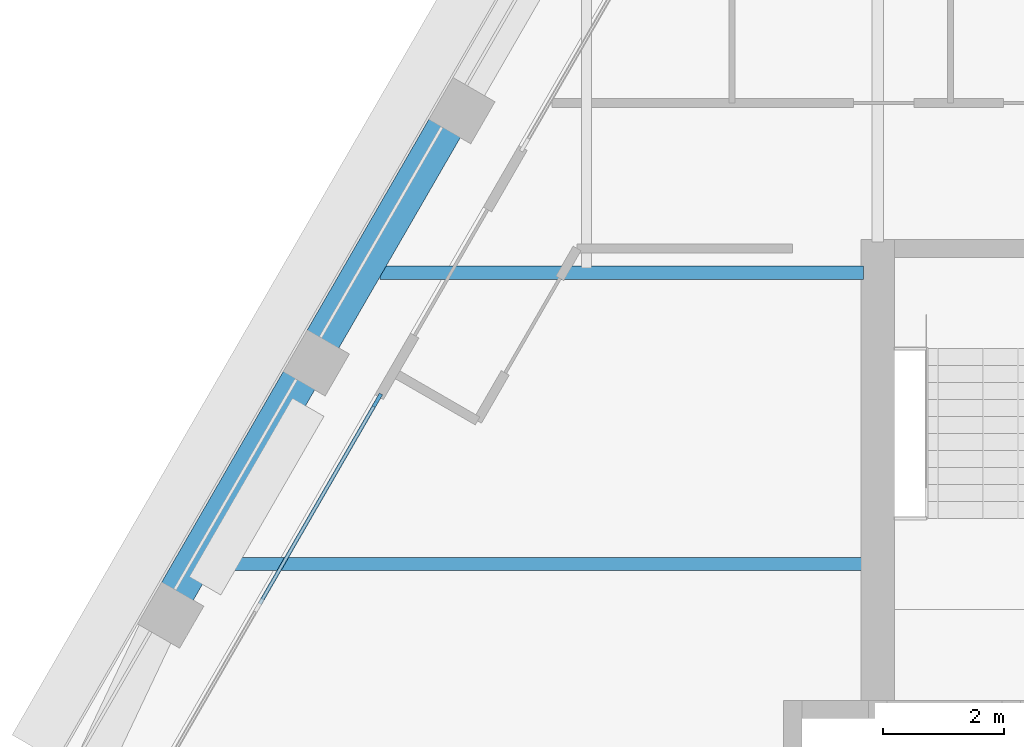
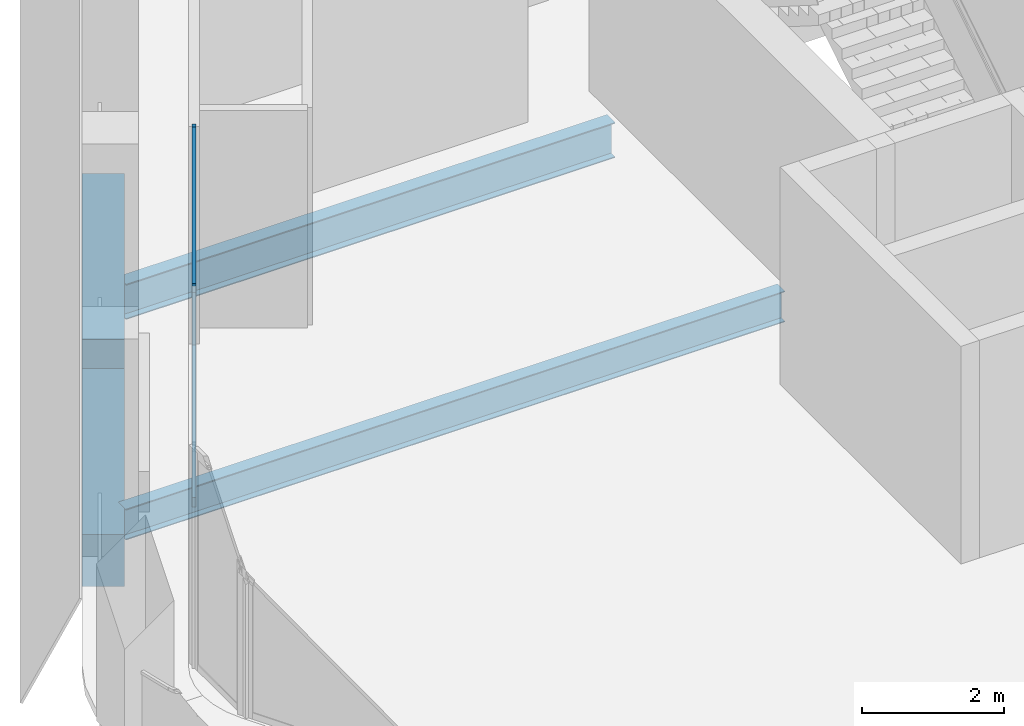
# One storey, part 3 of 13: 4 beams, 3 members, 1 element without a shape of its own.
"""IFC4 building model written with IfcOpenShell, lengths in metres."""

from ifc_helpers import new_model, si_unit, direction, frame, origin, origin_2d, place, context, subcontext, project, spatial, rectangle, i_section, extrude, material, material_profile, profile_set, type_object, element, aggregate, save


model = new_model("IFC4")

# Units and contexts
model_context = context("Model", 3, precision=1e-05, world=origin(), true_north=direction((0.0, 1.0)))
body_context = subcontext(model_context, "Body", "Model", "MODEL_VIEW")
ifc_project = project(units=[si_unit("LENGTHUNIT", "METRE"), si_unit("AREAUNIT", "SQUARE_METRE"), si_unit("VOLUMEUNIT", "CUBIC_METRE"), si_unit("PLANEANGLEUNIT", "RADIAN"), si_unit("MASSUNIT", "GRAM", prefix="KILO")], contexts=[model_context])

# Site, building, storey
site_placement = place(None, origin())
site = spatial("IfcSite", under=ifc_project, at=site_placement, CompositionType="ELEMENT")
building_placement = place(site_placement, origin())
building = spatial("IfcBuilding", under=site, at=building_placement, Name="Kolab Exchange Tower", CompositionType="ELEMENT")
storey_placement = place(building_placement, frame((0.0, 0.0, 230.60009765625)))
storey = spatial("IfcBuildingStorey", under=building, at=storey_placement, Name="L50", CompositionType="ELEMENT", Elevation=230.60009765625)

# Beams
ifc_material_1 = material(Name="Steel S355", Category="steel")
ifc_material_profile_1 = material_profile(ifc_material_1, i_section(OverallWidth=0.208984375, OverallDepth=0.532958984375, WebThickness=0.01025390625, FlangeThickness=0.015625, at=origin_2d()), Name="W530X92")
ifc_profile_set_1 = profile_set([ifc_material_profile_1], Name="Steel S355")
beam_type_1 = type_object("IfcBeamType", Name="FLOOR BEAM W530X92", PredefinedType="BEAM", material=ifc_profile_set_1)
beam_1_placement = place(storey_placement, frame((-20.575927734375, 4.800048828125, -0.41650390625), z_axis=(1.0, 0.0, 0.0), x_axis=(0.0, 1.0, 0.0)))
element("IfcBeam", 1, at=beam_1_placement, inside=storey, type_object=beam_type_1, Name="beam/L50/fr/002", PredefinedType="BEAM", context=body_context, shape_type="SweptSolid", body=[
    extrude(i_section(OverallWidth=0.208984375, OverallDepth=0.532958984375, WebThickness=0.01025390625, FlangeThickness=0.015625, at=origin_2d()), origin(), (0.0, 0.0, 1.0), 10.740966796875),
])
ifc_material_profile_2 = material_profile(ifc_material_1, i_section(OverallWidth=0.22802734375, OverallDepth=0.60791015625, WebThickness=0.01123046875, FlangeThickness=0.017333984375, at=origin_2d()), Name="W610X113")
ifc_profile_set_2 = profile_set([ifc_material_profile_2], Name="Steel S355")
beam_type_2 = type_object("IfcBeamType", Name="FLOOR GIRDER W610X113", PredefinedType="BEAM", material=ifc_profile_set_2)
beam_2_placement = place(storey_placement, frame((-17.8046875, 9.60009765625, -0.4541015625), z_axis=(1.0, 0.0, 0.0), x_axis=(0.0, 1.0, 0.0)))
element("IfcBeam", 2, at=beam_2_placement, inside=storey, type_object=beam_type_2, Name="beam/L50/gd/001", PredefinedType="BEAM", context=body_context, shape_type="SweptSolid", body=[
    extrude(i_section(OverallWidth=0.22802734375, OverallDepth=0.60791015625, WebThickness=0.01123046875, FlangeThickness=0.017333984375, at=origin_2d()), origin(), (0.0, 0.0, 1.0), 7.9697265625),
])
ifc_material_2 = material(Name="Concrete C50/60", Category="concrete")
ifc_material_profile_3 = material_profile(ifc_material_2, rectangle(XDim=0.60009765625, YDim=0.89990234375, at=origin_2d()), Name="RC600X900")
ifc_profile_set_3 = profile_set([ifc_material_profile_3], Name="Concrete C50/60")
beam_type_3 = type_object("IfcBeamType", Name="SPANDREL BEAM 600X900 C50/60", PredefinedType="BEAM", material=ifc_profile_set_3)
for number, where, z_axis, x_axis, name in (
    (3, (-21.16015625, 4.318603515625, -0.60009765625), (0.500000428765, 0.866025156237, 0.0), (-0.866025156237, 0.500000428765, 0.0), "beam/L50/sp/F6-02"),
    (4, (-18.76025390625, 8.4755859375, -0.60009765625), (0.500000428765, 0.866025156237, 0.0), (-0.866025156237, 0.500000428765, 0.0), "beam/L50/sp/F6-03"),
):
    element("IfcBeam", number, at=place(storey_placement, frame(where, z_axis=z_axis, x_axis=x_axis)), inside=storey, type_object=beam_type_3, Name=name, PredefinedType="BEAM", context=body_context, shape_type="SweptSolid", body=[
        extrude(rectangle(XDim=0.60009765625, YDim=0.89990234375, at=origin_2d()), origin(), (0.0, 0.0, 1.0), 4.080078125),
    ])

# Curtain wall, members
ifc_material_3 = material(Name="Aluminium EN AW-6063 T6", Category="aluminium")
curtain_wall_type = type_object("IfcCurtainWallType", Name="UNITISED HIGH ZONE CURTAIN WALL", PredefinedType="NOTDEFINED", material=ifc_material_3)
curtain_wall_placement = place(storey_placement, origin())
curtain_wall = element("IfcCurtainWall", 5, at=curtain_wall_placement, inside=storey, type_object=curtain_wall_type, Name="cw/L50/F6-1", PredefinedType="NOTDEFINED")
ifc_material_profile_4 = material_profile(ifc_material_3, rectangle(XDim=0.06005859375, YDim=0.239990234375, at=origin_2d()), Name="RECT 60X240")
ifc_profile_set_4 = profile_set([ifc_material_profile_4], Name="Aluminium EN AW-6063 T6")
member_type_1 = type_object("IfcMemberType", Name="UNITISED HIGH ZONE MULLION 60 X 240", PredefinedType="MULLION", material=ifc_profile_set_4)
member_1_placement = place(storey_placement, frame((-17.8466796875, 7.497802734375, 0.0), z_axis=(0.0, 0.0, 1.0), x_axis=(-0.866025440524, 0.499999936366, 0.0)))
member_1 = element("IfcMember", 6, at=member_1_placement, type_object=member_type_1, Name="CW4 mullion 3", PredefinedType="MULLION", context=body_context, shape_type="SweptSolid", body=[
    extrude(rectangle(XDim=0.06005859375, YDim=0.239990234375, at=origin_2d()), origin(), (0.0, 0.0, 1.0), 3.75),
])
ifc_material_profile_5 = material_profile(ifc_material_3, rectangle(XDim=0.06005859375, YDim=0.159912109375, at=origin_2d()), Name="RECT 60X160")
ifc_profile_set_5 = profile_set([ifc_material_profile_5], Name="Aluminium EN AW-6063 T6")
member_type_2 = type_object("IfcMemberType", Name="UNITISED HIGH ZONE TRANSOM 60 X 160", PredefinedType="USERDEFINED", material=ifc_profile_set_5)
member_2_placement = place(storey_placement, frame((-19.78369140625, 4.142822265625, 0.02978515625), z_axis=(0.500011990396, 0.866018481016, 0.0), x_axis=(-0.866018481016, 0.500011990396, 0.0)))
member_2 = element("IfcMember", 7, at=member_2_placement, type_object=member_type_2, Name="CW4 transom 2.1", ObjectType="TRANSOM", PredefinedType="USERDEFINED", context=body_context, shape_type="SweptSolid", body=[
    extrude(rectangle(XDim=0.06005859375, YDim=0.159912109375, at=origin_2d()), origin(), (0.0, 0.0, 1.0), 3.84423828125),
])
member_3_placement = place(storey_placement, frame((-19.78369140625, 4.142822265625, 3.719970703125), z_axis=(0.500011990396, 0.866018481016, 0.0), x_axis=(-0.866018481016, 0.500011990396, 0.0)))
member_3 = element("IfcMember", 8, at=member_3_placement, type_object=member_type_2, Name="CW4 transom 2.2", ObjectType="TRANSOM", PredefinedType="USERDEFINED", context=body_context, shape_type="SweptSolid", body=[
    extrude(rectangle(XDim=0.06005859375, YDim=0.159912109375, at=origin_2d()), origin(), (0.0, 0.0, 1.0), 3.84423828125),
])
aggregate(curtain_wall, [member_1, member_2, member_3])

save(model, "model.ifc")
